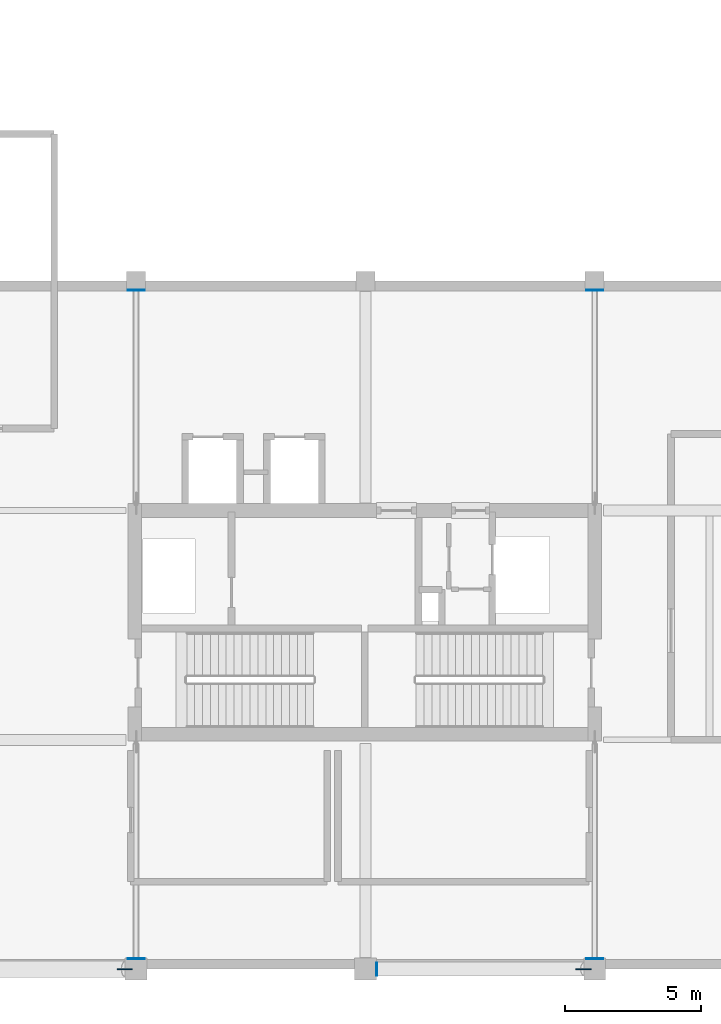
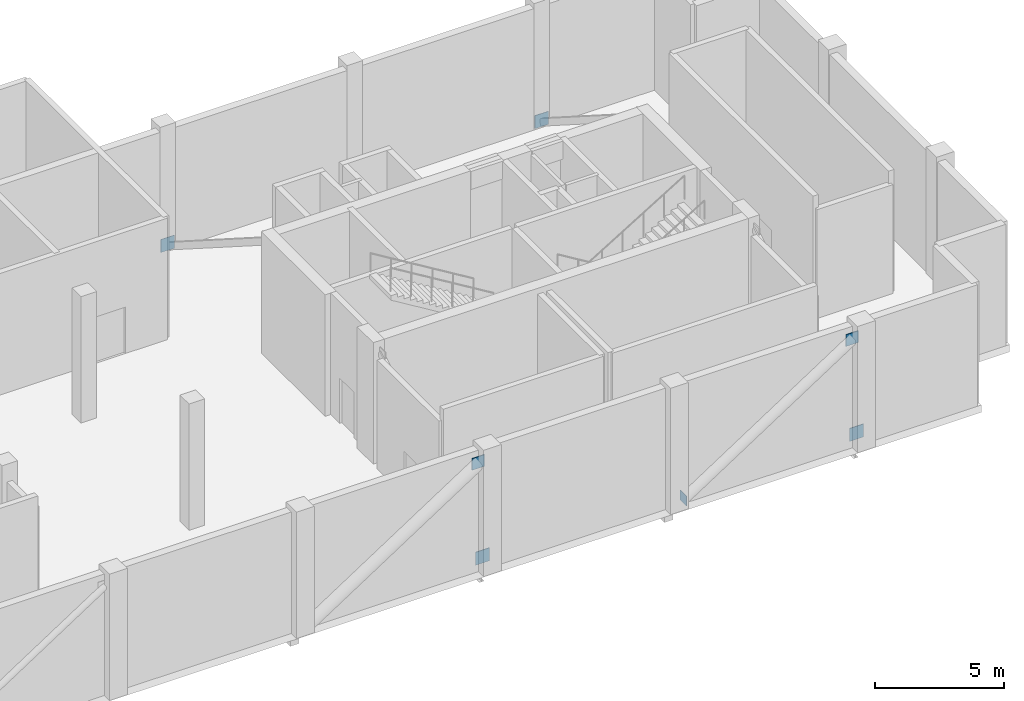
# One storey, part 7 of 14: 7 plates.
"""IFC4 building model written with IfcOpenShell, lengths in metres."""

import ifcopenshell
import ifcopenshell.guid

model = None  # the IFC model being written
_history = None  # IfcOwnerHistory: only IFC2X3 demands one
_inside = {}  # id of a spatial element -> (the spatial element, [elements in it])
_under = {}  # id of a project, library or spatial element -> (it, [spatial elements below it])
_declared = {}  # id of a project -> (the project, [libraries it declares])
_typed = {}  # id of a type object -> (the type object, [elements of that type])
_made_of = {}  # id of a material, layer set ... -> (it, [elements and type objects made of it])


def new_model(schema):
    """Start an empty IFC model of exactly this schema.

    Asked for "IFC4X3", IfcOpenShell would pick the latest addendum, in which some entities
    have other attributes; the version numbers below select the first issue.
    IFC2X3 requires an IfcOwnerHistory on every rooted entity: one is made here for all.
    """
    global model, _history
    if schema == "IFC4X3":
        model = ifcopenshell.file(schema_version=(4, 3, 0, 0))
    else:
        model = ifcopenshell.file(schema=schema)
    _inside.clear()
    _under.clear()
    _declared.clear()
    _typed.clear()
    _made_of.clear()
    _history = None
    if model.schema == "IFC2X3":
        org = make("IfcOrganization", Name="unknown")
        user = make(
            "IfcPersonAndOrganization",
            ThePerson=make("IfcPerson", FamilyName="unknown"),
            TheOrganization=org,
        )
        app = make(
            "IfcApplication",
            ApplicationDeveloper=org,
            Version="unknown",
            ApplicationFullName="unknown",
            ApplicationIdentifier="unknown",
        )
        _history = make(
            "IfcOwnerHistory",
            OwningUser=user,
            OwningApplication=app,
            ChangeAction="ADDED",
            CreationDate=0,
        )
    return model


def make(cls, **values):
    """One entity of the class cls with the attributes given. An attribute that is None is left unset."""
    return model.create_entity(
        cls, **{name: value for name, value in values.items() if value is not None}
    )


def rooted(cls, **values):
    """An entity with a GlobalId (a new one), such as an element, a storey or a relation."""
    return make(cls, GlobalId=ifcopenshell.guid.new(), OwnerHistory=_history, **values)


def si_unit(unit_type, name, prefix=None):
    """IfcSIUnit, for example si_unit("LENGTHUNIT", "METRE", prefix="MILLI")."""
    return make("IfcSIUnit", UnitType=unit_type, Prefix=prefix, Name=name)


def assignment(units):
    """IfcUnitAssignment: the units of a project."""
    return None if units is None else make("IfcUnitAssignment", Units=units)


def point(xyz):
    """IfcCartesianPoint."""
    return None if xyz is None else make("IfcCartesianPoint", Coordinates=xyz)


def direction(xyz):
    """IfcDirection."""
    return None if xyz is None else make("IfcDirection", DirectionRatios=xyz)


def frame(location, z_axis=None, x_axis=None):
    """IfcAxis2Placement3D, a coordinate frame: its origin and axes. An axis left out is left unset."""
    return make(
        "IfcAxis2Placement3D",
        Location=point(location),
        Axis=direction(z_axis),
        RefDirection=direction(x_axis),
    )


def frame_2d(location, x_axis=None):
    """IfcAxis2Placement2D, a coordinate frame in the plane: its origin and x axis."""
    return make(
        "IfcAxis2Placement2D", Location=point(location), RefDirection=direction(x_axis)
    )


def origin():
    """The frame at (0, 0, 0) with its axes left unset."""
    return frame((0.0, 0.0, 0.0))


def origin_2d():
    """The frame at (0, 0) in the plane with its x axis left unset."""
    return frame_2d((0.0, 0.0))


def place(relative_to, where):
    """IfcLocalPlacement: puts the frame where relative to a parent placement (None: the world)."""
    return make(
        "IfcLocalPlacement", PlacementRelTo=relative_to, RelativePlacement=where
    )


def context(
    kind, dimensions, precision=None, world=None, true_north=None, identifier=None
):
    """IfcGeometricRepresentationContext, for example the 3D "Model" context."""
    return make(
        "IfcGeometricRepresentationContext",
        ContextIdentifier=identifier,
        ContextType=kind,
        CoordinateSpaceDimension=dimensions,
        Precision=precision,
        WorldCoordinateSystem=world,
        TrueNorth=true_north,
    )


def subcontext(parent, identifier, kind, view, scale=None):
    """IfcGeometricRepresentationSubContext, for example "Body" below "Model"."""
    return make(
        "IfcGeometricRepresentationSubContext",
        ContextIdentifier=identifier,
        ContextType=kind,
        ParentContext=parent,
        TargetScale=scale,
        TargetView=view,
    )


def project(units=None, contexts=None):
    """IfcProject with its units and contexts."""
    return rooted(
        "IfcProject",
        Name="project",
        RepresentationContexts=contexts,
        UnitsInContext=assignment(units),
    )


def spatial(cls, under=None, at=None, **own):
    """A site, building, storey or space (cls), placed at a placement, below another one or the project."""
    s = rooted(cls, ObjectPlacement=at, **own)
    if under is not None:
        _under.setdefault(under.id(), (under, []))[1].append(s)
    return s


def profile(cls, at=None, kind="AREA", **sizes):
    """A parametric profile (cls). Its sizes go by their IFC names, for example OverallWidth=200.0."""
    return make(cls, ProfileType=kind, Position=at, **sizes)


def rectangle(**sizes):
    """IfcRectangleProfileDef."""
    return profile("IfcRectangleProfileDef", **sizes)


def extrude(swept, where, along, depth):
    """IfcExtrudedAreaSolid: the profile swept, set in the frame where, extruded along a direction by depth."""
    return make(
        "IfcExtrudedAreaSolid",
        SweptArea=swept,
        Position=where,
        ExtrudedDirection=direction(along),
        Depth=depth,
    )


def shape(context_of_items, identifier, shape_type, items):
    """IfcShapeRepresentation: the items that make up one representation, for example the "Body"."""
    return make(
        "IfcShapeRepresentation",
        ContextOfItems=context_of_items,
        RepresentationIdentifier=identifier,
        RepresentationType=shape_type,
        Items=items,
    )


def material(Name=None, Category=None):
    """IfcMaterial."""
    return make("IfcMaterial", Name=Name, Category=Category)


def layer(
    of_material, thickness, ventilated=None, Name=None, Category=None, Priority=None
):
    """IfcMaterialLayer: one layer of a wall or slab, of a material (None: an air gap)."""
    return make(
        "IfcMaterialLayer",
        Material=of_material,
        LayerThickness=thickness,
        IsVentilated=ventilated,
        Name=Name,
        Category=Category,
        Priority=Priority,
    )


def layer_set(layers, Name=None):
    """IfcMaterialLayerSet."""
    return make("IfcMaterialLayerSet", MaterialLayers=layers, LayerSetName=Name)


def made_of(thing, what):
    """Note that an element or type object is made of a material, layer set ...; save() writes the relation."""
    if what is not None:
        _made_of.setdefault(what.id(), (what, []))[1].append(thing)
    return thing


def type_object(cls, material=None, **own):
    """A type object (cls), such as IfcWallType, which elements share."""
    return made_of(rooted(cls, **own), material)


def element(
    cls,
    number,
    at=None,
    inside=None,
    cuts=None,
    type_object=None,
    material=None,
    context=None,
    identifier="Body",
    shape_type=None,
    held_by="IfcProductDefinitionShape",
    body=None,
    shapes=None,
    **own,
):
    """One element of the class cls, such as IfcWall. Its Tag is "e" and its number.

    at: its placement. inside: the storey or other place that contains it. cuts: it is an
    opening in that element (IfcRelVoidsElement). A single representation is given by context,
    identifier, shape_type and body (its items); several are given by shapes. held_by: the class
    of the entity that holds the representations. save() writes the other relations.
    """
    e = rooted(cls, Tag="e%d" % number, ObjectPlacement=at, **own)
    if body is not None:
        shapes = [shape(context, identifier, shape_type, body)]
    if shapes is not None:
        e.Representation = make(held_by, Representations=shapes)
    if inside is not None:
        _inside.setdefault(inside.id(), (inside, []))[1].append(e)
    if cuts is not None:
        rooted(
            "IfcRelVoidsElement", RelatingBuildingElement=cuts, RelatedOpeningElement=e
        )
    if type_object is not None:
        _typed.setdefault(type_object.id(), (type_object, []))[1].append(e)
    return made_of(e, material)


def aggregate(whole, parts):
    """IfcRelAggregates: a whole, such as a stair, and the parts it consists of."""
    return rooted("IfcRelAggregates", RelatingObject=whole, RelatedObjects=parts)


def save(model, path):
    """Write the relations noted so far, then the file.

    IfcRelAggregates (storeys below a building ...), IfcRelContainedInSpatialStructure (elements
    in a storey), IfcRelDefinesByType, IfcRelAssociatesMaterial and IfcRelDeclares: one each for
    every whole, place, type object, material and project.
    """
    for whole, parts in _under.values():
        aggregate(whole, parts)
    for where, things in _inside.values():
        rooted(
            "IfcRelContainedInSpatialStructure",
            RelatedElements=things,
            RelatingStructure=where,
        )
    for kind, things in _typed.values():
        rooted("IfcRelDefinesByType", RelatedObjects=things, RelatingType=kind)
    for what, things in _made_of.values():
        rooted("IfcRelAssociatesMaterial", RelatedObjects=things, RelatingMaterial=what)
    for by, libraries in _declared.values():
        rooted("IfcRelDeclares", RelatingContext=by, RelatedDefinitions=libraries)
    model.write(path)


model = new_model("IFC4")

# Units and contexts
model_context = context("Model", 3, precision=1e-05, world=origin(), true_north=direction((0.0, 1.0)))
body_context = subcontext(model_context, "Body", "Model", "MODEL_VIEW")
ifc_project = project(units=[si_unit("LENGTHUNIT", "METRE"), si_unit("AREAUNIT", "SQUARE_METRE"), si_unit("VOLUMEUNIT", "CUBIC_METRE"), si_unit("PLANEANGLEUNIT", "RADIAN"), si_unit("MASSUNIT", "GRAM", prefix="KILO")], contexts=[model_context])

# Site, building, storey
site_placement = place(None, origin())
site = spatial("IfcSite", under=ifc_project, at=site_placement, CompositionType="ELEMENT")
building_placement = place(site_placement, origin())
building = spatial("IfcBuilding", under=site, at=building_placement, Name="Koriwani Terraces Tower", CompositionType="ELEMENT")
storey_placement = place(building_placement, frame((0.0, 0.0, 294.800048828125)))
storey = spatial("IfcBuildingStorey", under=building, at=storey_placement, Name="L73", CompositionType="ELEMENT", Elevation=294.800048828125)

# Plates
ifc_material = material(Name="Steel ASTM A572 Grade 50", Category="steel")
ifc_layer_1 = layer(ifc_material, 0.02490234375, Name="Steel ASTM A572 Grade 50")
ifc_layer_set_1 = layer_set([ifc_layer_1], Name="Steel ASTM A572 Grade 50")
plate_type_1 = type_object("IfcPlateType", Name="STEEL_CAP_PLATE_25", PredefinedType="USERDEFINED", material=ifc_layer_set_1)
for number, where, z_axis, x_axis, name in (
    (1, (42.0, 8.780029296875, 0.039794921875), (0.0, 0.0, 1.0), (0.0, 1.0, 0.0), "Outrigger truss hollow end cap plate L73-OE-S1"),
    (2, (58.800048828125, 8.780029296875, 0.039794921875), (0.0, 0.0, 1.0), (0.0, 1.0, 0.0), "Outrigger truss hollow end cap plate L73-OE-S2"),
    (3, (42.0, 33.27001953125, 0.039794921875), (0.0, 0.0, 1.0), (0.0, -1.0, 0.0), "Outrigger truss hollow end cap plate L73-OE-N1"),
    (4, (58.800048828125, 33.27001953125, 0.039794921875), (0.0, 0.0, 1.0), (0.0, -1.0, 0.0), "Outrigger truss hollow end cap plate L73-OE-N2"),
):
    element("IfcPlate", number, at=place(storey_placement, frame(where, z_axis=z_axis, x_axis=x_axis)), inside=storey, type_object=plate_type_1, Name=name, ObjectType="FLANGE_PLATE", PredefinedType="USERDEFINED", context=body_context, shape_type="SweptSolid", body=[
        extrude(rectangle(XDim=0.02490234375, YDim=0.6201171875, at=origin_2d()), origin(), (0.0, 0.0, 1.0), 0.6201171875),
    ])
plate_placement = place(storey_placement, frame((50.8134765625, 8.39990234375, 0.03173828125), z_axis=(0.0, 0.0, 1.0), x_axis=(1.0, 0.0, 0.0)))
element("IfcPlate", 5, at=plate_placement, inside=storey, type_object=plate_type_1, Name="Brace End Cap Plate BT-L73-BS3", ObjectType="FLANGE_PLATE", PredefinedType="USERDEFINED", context=body_context, shape_type="SweptSolid", body=[
    extrude(rectangle(XDim=0.02490234375, YDim=0.47998046875, at=origin_2d()), origin(), (0.0, 0.0, 1.0), 0.47998046875),
])
ifc_layer_2 = layer(ifc_material, 0.0400390625, Name="Steel ASTM A572 Grade 50")
ifc_layer_set_2 = layer_set([ifc_layer_2], Name="Steel ASTM A572 Grade 50")
plate_type_2 = type_object("IfcPlateType", Name="STEEL_GUSSET_PLATE_40", PredefinedType="USERDEFINED", material=ifc_layer_set_2)
for number, where, z_axis, x_axis, name in (
    (6, (41.58642578125, 8.39990234375, 4.918212890625), (0.0, 0.0, 1.0), (1.0, 0.0, 0.0), "Brace Node Gusset Plate BT-L73-BS2"),
    (7, (58.386474609375, 8.39990234375, 4.918212890625), (0.0, 0.0, 1.0), (1.0, 0.0, 0.0), "Brace Node Gusset Plate BT-L73-BS3"),
):
    element("IfcPlate", number, at=place(storey_placement, frame(where, z_axis=z_axis, x_axis=x_axis)), inside=storey, type_object=plate_type_2, Name=name, ObjectType="GUSSET_PLATE", PredefinedType="USERDEFINED", context=body_context, shape_type="SweptSolid", body=[
        extrude(rectangle(XDim=0.56005859375, YDim=0.0400390625, at=origin_2d()), origin(), (0.0, 0.0, 1.0), 0.56005859375),
    ])

save(model, "model.ifc")
